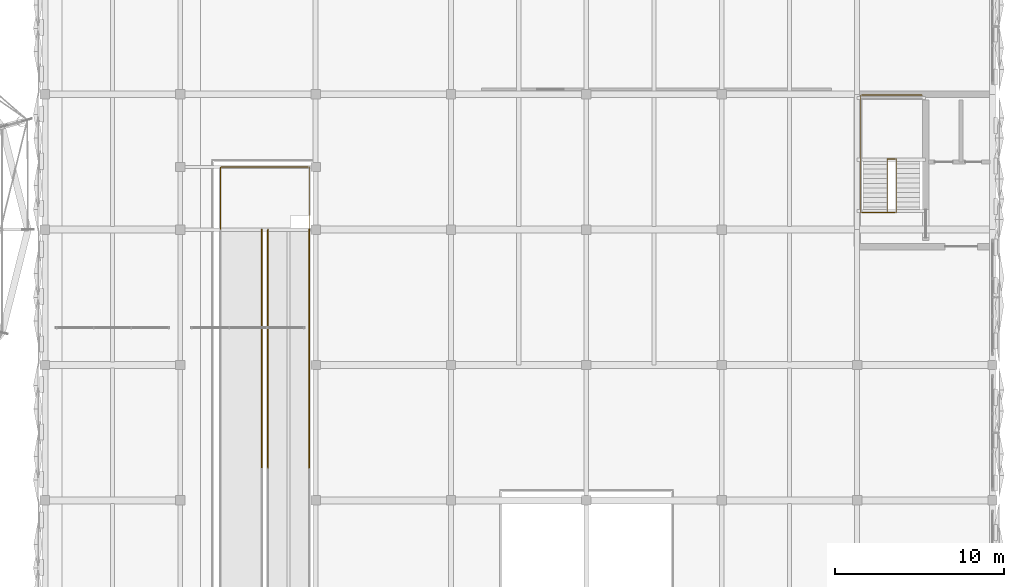
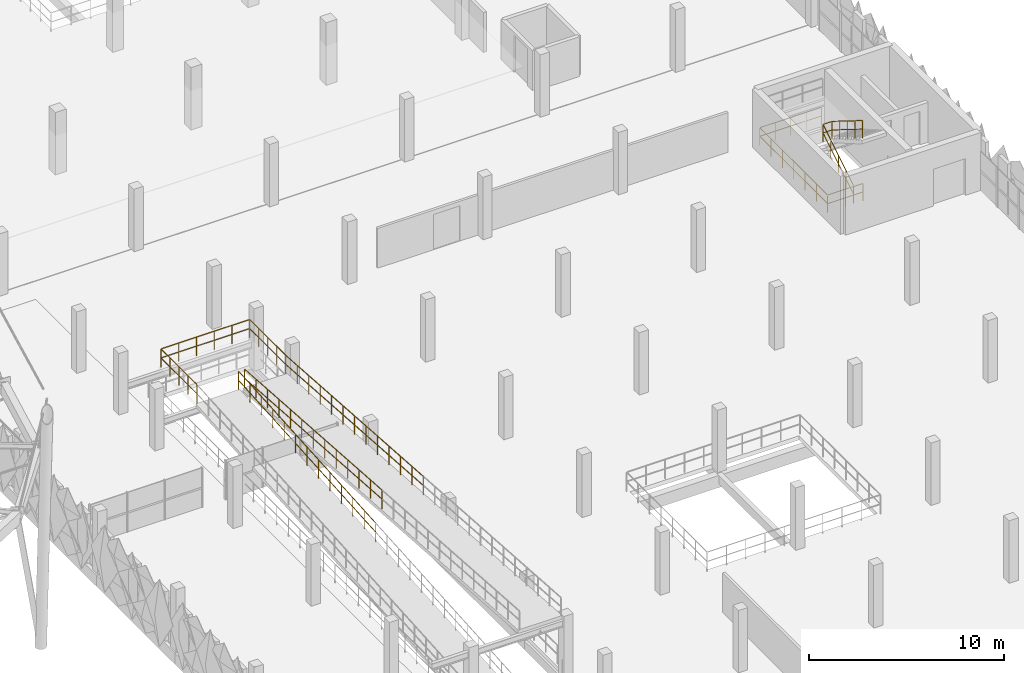
# One storey, part 91 of 96: 6 railings.
"""IFC4 building model written with IfcOpenShell, lengths in metres."""

import ifcopenshell
import ifcopenshell.guid

model = None  # the IFC model being written
_history = None  # IfcOwnerHistory: only IFC2X3 demands one
_inside = {}  # id of a spatial element -> (the spatial element, [elements in it])
_under = {}  # id of a project, library or spatial element -> (it, [spatial elements below it])
_declared = {}  # id of a project -> (the project, [libraries it declares])
_typed = {}  # id of a type object -> (the type object, [elements of that type])
_made_of = {}  # id of a material, layer set ... -> (it, [elements and type objects made of it])


def new_model(schema):
    """Start an empty IFC model of exactly this schema.

    Asked for "IFC4X3", IfcOpenShell would pick the latest addendum, in which some entities
    have other attributes; the version numbers below select the first issue.
    IFC2X3 requires an IfcOwnerHistory on every rooted entity: one is made here for all.
    """
    global model, _history
    if schema == "IFC4X3":
        model = ifcopenshell.file(schema_version=(4, 3, 0, 0))
    else:
        model = ifcopenshell.file(schema=schema)
    _inside.clear()
    _under.clear()
    _declared.clear()
    _typed.clear()
    _made_of.clear()
    _history = None
    if model.schema == "IFC2X3":
        org = make("IfcOrganization", Name="unknown")
        user = make(
            "IfcPersonAndOrganization",
            ThePerson=make("IfcPerson", FamilyName="unknown"),
            TheOrganization=org,
        )
        app = make(
            "IfcApplication",
            ApplicationDeveloper=org,
            Version="unknown",
            ApplicationFullName="unknown",
            ApplicationIdentifier="unknown",
        )
        _history = make(
            "IfcOwnerHistory",
            OwningUser=user,
            OwningApplication=app,
            ChangeAction="ADDED",
            CreationDate=0,
        )
    return model


def make(cls, **values):
    """One entity of the class cls with the attributes given. An attribute that is None is left unset."""
    return model.create_entity(
        cls, **{name: value for name, value in values.items() if value is not None}
    )


def rooted(cls, **values):
    """An entity with a GlobalId (a new one), such as an element, a storey or a relation."""
    return make(cls, GlobalId=ifcopenshell.guid.new(), OwnerHistory=_history, **values)


def si_unit(unit_type, name, prefix=None):
    """IfcSIUnit, for example si_unit("LENGTHUNIT", "METRE", prefix="MILLI")."""
    return make("IfcSIUnit", UnitType=unit_type, Prefix=prefix, Name=name)


def derived_unit(unit_type, elements):
    """IfcDerivedUnit: a product of units, each with its exponent."""
    return make(
        "IfcDerivedUnit",
        Elements=[
            make("IfcDerivedUnitElement", Unit=unit, Exponent=power)
            for unit, power in elements
        ],
        UnitType=unit_type,
    )


def assignment(units):
    """IfcUnitAssignment: the units of a project."""
    return None if units is None else make("IfcUnitAssignment", Units=units)


def point(xyz):
    """IfcCartesianPoint."""
    return None if xyz is None else make("IfcCartesianPoint", Coordinates=xyz)


def direction(xyz):
    """IfcDirection."""
    return None if xyz is None else make("IfcDirection", DirectionRatios=xyz)


def frame(location, z_axis=None, x_axis=None):
    """IfcAxis2Placement3D, a coordinate frame: its origin and axes. An axis left out is left unset."""
    return make(
        "IfcAxis2Placement3D",
        Location=point(location),
        Axis=direction(z_axis),
        RefDirection=direction(x_axis),
    )


def frame_2d(location, x_axis=None):
    """IfcAxis2Placement2D, a coordinate frame in the plane: its origin and x axis."""
    return make(
        "IfcAxis2Placement2D", Location=point(location), RefDirection=direction(x_axis)
    )


def origin():
    """The frame at (0, 0, 0) with its axes left unset."""
    return frame((0.0, 0.0, 0.0))


def origin_2d():
    """The frame at (0, 0) in the plane with its x axis left unset."""
    return frame_2d((0.0, 0.0))


def place(relative_to, where):
    """IfcLocalPlacement: puts the frame where relative to a parent placement (None: the world)."""
    return make(
        "IfcLocalPlacement", PlacementRelTo=relative_to, RelativePlacement=where
    )


def context(
    kind, dimensions, precision=None, world=None, true_north=None, identifier=None
):
    """IfcGeometricRepresentationContext, for example the 3D "Model" context."""
    return make(
        "IfcGeometricRepresentationContext",
        ContextIdentifier=identifier,
        ContextType=kind,
        CoordinateSpaceDimension=dimensions,
        Precision=precision,
        WorldCoordinateSystem=world,
        TrueNorth=true_north,
    )


def subcontext(parent, identifier, kind, view, scale=None):
    """IfcGeometricRepresentationSubContext, for example "Body" below "Model"."""
    return make(
        "IfcGeometricRepresentationSubContext",
        ContextIdentifier=identifier,
        ContextType=kind,
        ParentContext=parent,
        TargetScale=scale,
        TargetView=view,
    )


def project(units=None, contexts=None):
    """IfcProject with its units and contexts."""
    return rooted(
        "IfcProject",
        Name="project",
        RepresentationContexts=contexts,
        UnitsInContext=assignment(units),
    )


def spatial(cls, under=None, at=None, **own):
    """A site, building, storey or space (cls), placed at a placement, below another one or the project."""
    s = rooted(cls, ObjectPlacement=at, **own)
    if under is not None:
        _under.setdefault(under.id(), (under, []))[1].append(s)
    return s


def profile(cls, at=None, kind="AREA", **sizes):
    """A parametric profile (cls). Its sizes go by their IFC names, for example OverallWidth=200.0."""
    return make(cls, ProfileType=kind, Position=at, **sizes)


def circle(**sizes):
    """IfcCircleProfileDef."""
    return profile("IfcCircleProfileDef", **sizes)


def extrude(swept, where, along, depth):
    """IfcExtrudedAreaSolid: the profile swept, set in the frame where, extruded along a direction by depth."""
    return make(
        "IfcExtrudedAreaSolid",
        SweptArea=swept,
        Position=where,
        ExtrudedDirection=direction(along),
        Depth=depth,
    )


def shape(context_of_items, identifier, shape_type, items):
    """IfcShapeRepresentation: the items that make up one representation, for example the "Body"."""
    return make(
        "IfcShapeRepresentation",
        ContextOfItems=context_of_items,
        RepresentationIdentifier=identifier,
        RepresentationType=shape_type,
        Items=items,
    )


def material(Name=None, Category=None):
    """IfcMaterial."""
    return make("IfcMaterial", Name=Name, Category=Category)


def made_of(thing, what):
    """Note that an element or type object is made of a material, layer set ...; save() writes the relation."""
    if what is not None:
        _made_of.setdefault(what.id(), (what, []))[1].append(thing)
    return thing


def type_object(cls, material=None, **own):
    """A type object (cls), such as IfcWallType, which elements share."""
    return made_of(rooted(cls, **own), material)


def element(
    cls,
    number,
    at=None,
    inside=None,
    cuts=None,
    type_object=None,
    material=None,
    context=None,
    identifier="Body",
    shape_type=None,
    held_by="IfcProductDefinitionShape",
    body=None,
    shapes=None,
    **own,
):
    """One element of the class cls, such as IfcWall. Its Tag is "e" and its number.

    at: its placement. inside: the storey or other place that contains it. cuts: it is an
    opening in that element (IfcRelVoidsElement). A single representation is given by context,
    identifier, shape_type and body (its items); several are given by shapes. held_by: the class
    of the entity that holds the representations. save() writes the other relations.
    """
    e = rooted(cls, Tag="e%d" % number, ObjectPlacement=at, **own)
    if body is not None:
        shapes = [shape(context, identifier, shape_type, body)]
    if shapes is not None:
        e.Representation = make(held_by, Representations=shapes)
    if inside is not None:
        _inside.setdefault(inside.id(), (inside, []))[1].append(e)
    if cuts is not None:
        rooted(
            "IfcRelVoidsElement", RelatingBuildingElement=cuts, RelatedOpeningElement=e
        )
    if type_object is not None:
        _typed.setdefault(type_object.id(), (type_object, []))[1].append(e)
    return made_of(e, material)


def aggregate(whole, parts):
    """IfcRelAggregates: a whole, such as a stair, and the parts it consists of."""
    return rooted("IfcRelAggregates", RelatingObject=whole, RelatedObjects=parts)


def save(model, path):
    """Write the relations noted so far, then the file.

    IfcRelAggregates (storeys below a building ...), IfcRelContainedInSpatialStructure (elements
    in a storey), IfcRelDefinesByType, IfcRelAssociatesMaterial and IfcRelDeclares: one each for
    every whole, place, type object, material and project.
    """
    for whole, parts in _under.values():
        aggregate(whole, parts)
    for where, things in _inside.values():
        rooted(
            "IfcRelContainedInSpatialStructure",
            RelatedElements=things,
            RelatingStructure=where,
        )
    for kind, things in _typed.values():
        rooted("IfcRelDefinesByType", RelatedObjects=things, RelatingType=kind)
    for what, things in _made_of.values():
        rooted("IfcRelAssociatesMaterial", RelatedObjects=things, RelatingMaterial=what)
    for by, libraries in _declared.values():
        rooted("IfcRelDeclares", RelatingContext=by, RelatedDefinitions=libraries)
    model.write(path)


model = new_model("IFC4")

# Units and contexts
model_context = context("Model", 3, precision=1e-05, world=origin(), true_north=direction((0.0, 1.0)))
body_context = subcontext(model_context, "Body", "Model", "MODEL_VIEW")
ifc_project = project(units=[si_unit("LENGTHUNIT", "METRE"), si_unit("AREAUNIT", "SQUARE_METRE"), si_unit("VOLUMEUNIT", "CUBIC_METRE"), si_unit("PLANEANGLEUNIT", "RADIAN"), si_unit("MASSUNIT", "GRAM", prefix="KILO"), si_unit("THERMODYNAMICTEMPERATUREUNIT", "KELVIN"), derived_unit("THERMALTRANSMITTANCEUNIT", [(si_unit("POWERUNIT", "WATT"), 1), (si_unit("AREAUNIT", "SQUARE_METRE"), -1), (si_unit("THERMODYNAMICTEMPERATUREUNIT", "KELVIN"), -1)])], contexts=[model_context])

# Site, building, storey
site_placement = place(None, origin())
site = spatial("IfcSite", under=ifc_project, at=site_placement, CompositionType="ELEMENT")
building_placement = place(site_placement, origin())
building = spatial("IfcBuilding", under=site, at=building_placement, Name="Haiyu Intermodal Mobility Hub", CompositionType="ELEMENT")
storey_placement = place(building_placement, frame((0.0, 0.0, 9.5)))
storey = spatial("IfcBuildingStorey", under=building, at=storey_placement, Name="L02", CompositionType="ELEMENT", Elevation=9.5)

# Railings
ifc_material = material(Name="Steel Q355C", Category="steel")
railing_type = type_object("IfcRailingType", Name="RAL-GR03", PredefinedType="GUARDRAIL", material=ifc_material)
railing_1_placement = place(storey_placement, frame((166.820068359375, 49.949951171875, 0.97509765625)))
element("IfcRailing", 1, at=railing_1_placement, inside=storey, type_object=railing_type, Name="RAL-RMP-BIKE-L02-F1EB", PredefinedType="GUARDRAIL", context=body_context, shape_type="SweptSolid", body=[
    extrude(circle(Radius=0.02392578125, at=origin_2d()), frame((0.0, 0.030029296875, 1.157958984375), z_axis=(0.0, 0.997601562369, 0.069217936689), x_axis=(-1.0, 0.0, 0.0)), (0.0, 0.0, 1.0), 14.02392578125),
    extrude(circle(Radius=0.02392578125, at=origin_2d()), frame((0.0, 0.037109375, 0.592529296875), z_axis=(0.0, 0.997601562369, 0.069217936689), x_axis=(-1.0, 0.0, 0.0)), (0.0, 0.0, 1.0), 1.09912109375),
    extrude(circle(Radius=0.02392578125, at=origin_2d()), frame((0.0, 1.2080078125, 0.673828125), z_axis=(0.0, 0.997601562369, 0.069217936689), x_axis=(-1.0, 0.0, 0.0)), (0.0, 0.0, 1.0), 1.09912109375),
    extrude(circle(Radius=0.02392578125, at=origin_2d()), frame((0.0, 2.37890625, 0.755126953125), z_axis=(0.0, 0.997601562369, 0.069217936689), x_axis=(-1.0, 0.0, 0.0)), (0.0, 0.0, 1.0), 1.09912109375),
    extrude(circle(Radius=0.02392578125, at=origin_2d()), frame((0.0, 3.5498046875, 0.836181640625), z_axis=(0.0, 0.997601562369, 0.069217936689), x_axis=(-1.0, 0.0, 0.0)), (0.0, 0.0, 1.0), 1.09912109375),
    extrude(circle(Radius=0.02392578125, at=origin_2d()), frame((0.0, 4.720458984375, 0.91748046875), z_axis=(0.0, 0.997601562369, 0.069217936689), x_axis=(-1.0, 0.0, 0.0)), (0.0, 0.0, 1.0), 1.09912109375),
    extrude(circle(Radius=0.02392578125, at=origin_2d()), frame((0.0, 5.891357421875, 0.998779296875), z_axis=(0.0, 0.997601562369, 0.069217936689), x_axis=(-1.0, 0.0, 0.0)), (0.0, 0.0, 1.0), 1.09912109375),
    extrude(circle(Radius=0.02392578125, at=origin_2d()), frame((0.0, 7.062255859375, 1.080078125), z_axis=(0.0, 0.997601562369, 0.069217936689), x_axis=(-1.0, 0.0, 0.0)), (0.0, 0.0, 1.0), 1.09912109375),
    extrude(circle(Radius=0.02392578125, at=origin_2d()), frame((0.0, 8.233154296875, 1.1611328125), z_axis=(0.0, 0.997601562369, 0.069217936689), x_axis=(-1.0, 0.0, 0.0)), (0.0, 0.0, 1.0), 1.09912109375),
    extrude(circle(Radius=0.02392578125, at=origin_2d()), frame((0.0, 9.40380859375, 1.242431640625), z_axis=(0.0, 0.997601562369, 0.069217936689), x_axis=(-1.0, 0.0, 0.0)), (0.0, 0.0, 1.0), 1.09912109375),
    extrude(circle(Radius=0.02392578125, at=origin_2d()), frame((0.0, 10.57470703125, 1.32373046875), z_axis=(0.0, 0.997601562369, 0.069217936689), x_axis=(-1.0, 0.0, 0.0)), (0.0, 0.0, 1.0), 1.09912109375),
    extrude(circle(Radius=0.02392578125, at=origin_2d()), frame((0.0, 11.74560546875, 1.405029296875), z_axis=(0.0, 0.997601562369, 0.069217936689), x_axis=(-1.0, 0.0, 0.0)), (0.0, 0.0, 1.0), 1.09912109375),
    extrude(circle(Radius=0.02392578125, at=origin_2d()), frame((0.0, 12.91650390625, 1.486083984375), z_axis=(0.0, 0.997601562369, 0.069217936689), x_axis=(-1.0, 0.0, 0.0)), (0.0, 0.0, 1.0), 1.09912109375),
    extrude(circle(Radius=0.02099609375, at=origin_2d()), origin(), (0.0, 0.0, 1.0), 1.123779296875),
    extrude(circle(Radius=0.02099609375, at=origin_2d()), frame((0.0, 1.1708984375, 0.081298828125)), (0.0, 0.0, 1.0), 1.123779296875),
    extrude(circle(Radius=0.02099609375, at=origin_2d()), frame((0.0, 2.341796875, 0.16259765625)), (0.0, 0.0, 1.0), 1.123779296875),
    extrude(circle(Radius=0.02099609375, at=origin_2d()), frame((0.0, 3.512451171875, 0.24365234375)), (0.0, 0.0, 1.0), 1.123779296875),
    extrude(circle(Radius=0.02099609375, at=origin_2d()), frame((0.0, 4.683349609375, 0.324951171875)), (0.0, 0.0, 1.0), 1.123779296875),
    extrude(circle(Radius=0.02099609375, at=origin_2d()), frame((0.0, 5.854248046875, 0.40625)), (0.0, 0.0, 1.0), 1.123779296875),
    extrude(circle(Radius=0.02099609375, at=origin_2d()), frame((0.0, 7.02490234375, 0.4873046875)), (0.0, 0.0, 1.0), 1.123779296875),
    extrude(circle(Radius=0.02099609375, at=origin_2d()), frame((0.0, 8.19580078125, 0.568603515625)), (0.0, 0.0, 1.0), 1.123779296875),
    extrude(circle(Radius=0.02099609375, at=origin_2d()), frame((0.0, 9.36669921875, 0.64990234375)), (0.0, 0.0, 1.0), 1.123779296875),
    extrude(circle(Radius=0.02099609375, at=origin_2d()), frame((0.0, 10.53759765625, 0.731201171875)), (0.0, 0.0, 1.0), 1.123779296875),
    extrude(circle(Radius=0.02099609375, at=origin_2d()), frame((0.0, 11.70849609375, 0.8125)), (0.0, 0.0, 1.0), 1.123779296875),
    extrude(circle(Radius=0.02099609375, at=origin_2d()), frame((0.0, 12.879150390625, 0.8935546875)), (0.0, 0.0, 1.0), 1.123779296875),
    extrude(circle(Radius=0.02099609375, at=origin_2d()), frame((0.0, 14.050048828125, 0.974853515625)), (0.0, 0.0, 1.0), 1.123779296875),
])
railing_2_placement = place(storey_placement, frame((167.179931640625, 64.0, 1.949951171875)))
element("IfcRailing", 2, at=railing_2_placement, inside=storey, type_object=railing_type, Name="RAL-RMP-BIKE-L02-F2WA", PredefinedType="GUARDRAIL", context=body_context, shape_type="SweptSolid", body=[
    extrude(circle(Radius=0.02392578125, at=origin_2d()), frame((0.0, -0.030029296875, 1.157958984375), z_axis=(0.0, -0.99760881849, 0.069113278539), x_axis=(1.0, 0.0, 0.0)), (0.0, 0.0, 1.0), 14.048583984375),
    extrude(circle(Radius=0.02392578125, at=origin_2d()), frame((0.0, -0.037109375, 0.592529296875), z_axis=(0.0, -0.99760881849, 0.069113278539), x_axis=(1.0, 0.0, 0.0)), (0.0, 0.0, 1.0), 1.10107421875),
    extrude(circle(Radius=0.02392578125, at=origin_2d()), frame((0.0, -1.210205078125, 0.673828125), z_axis=(0.0, -0.99760881849, 0.069113278539), x_axis=(1.0, 0.0, 0.0)), (0.0, 0.0, 1.0), 1.10107421875),
    extrude(circle(Radius=0.02392578125, at=origin_2d()), frame((0.0, -2.383056640625, 0.755126953125), z_axis=(0.0, -0.99760881849, 0.069113278539), x_axis=(1.0, 0.0, 0.0)), (0.0, 0.0, 1.0), 1.10107421875),
    extrude(circle(Radius=0.02392578125, at=origin_2d()), frame((0.0, -3.555908203125, 0.83642578125), z_axis=(0.0, -0.99760881849, 0.069113278539), x_axis=(1.0, 0.0, 0.0)), (0.0, 0.0, 1.0), 1.10107421875),
    extrude(circle(Radius=0.02392578125, at=origin_2d()), frame((0.0, -4.728759765625, 0.91748046875), z_axis=(0.0, -0.99760881849, 0.069113278539), x_axis=(1.0, 0.0, 0.0)), (0.0, 0.0, 1.0), 1.10107421875),
    extrude(circle(Radius=0.02392578125, at=origin_2d()), frame((0.0, -5.90185546875, 0.998779296875), z_axis=(0.0, -0.99760881849, 0.069113278539), x_axis=(1.0, 0.0, 0.0)), (0.0, 0.0, 1.0), 1.10107421875),
    extrude(circle(Radius=0.02392578125, at=origin_2d()), frame((0.0, -7.07470703125, 1.080078125), z_axis=(0.0, -0.99760881849, 0.069113278539), x_axis=(1.0, 0.0, 0.0)), (0.0, 0.0, 1.0), 1.10107421875),
    extrude(circle(Radius=0.02392578125, at=origin_2d()), frame((0.0, -8.24755859375, 1.161376953125), z_axis=(0.0, -0.99760881849, 0.069113278539), x_axis=(1.0, 0.0, 0.0)), (0.0, 0.0, 1.0), 1.10107421875),
    extrude(circle(Radius=0.02392578125, at=origin_2d()), frame((0.0, -9.42041015625, 1.24267578125), z_axis=(0.0, -0.99760881849, 0.069113278539), x_axis=(1.0, 0.0, 0.0)), (0.0, 0.0, 1.0), 1.10107421875),
    extrude(circle(Radius=0.02392578125, at=origin_2d()), frame((0.0, -10.593505859375, 1.323974609375), z_axis=(0.0, -0.99760881849, 0.069113278539), x_axis=(1.0, 0.0, 0.0)), (0.0, 0.0, 1.0), 1.10107421875),
    extrude(circle(Radius=0.02392578125, at=origin_2d()), frame((0.0, -11.766357421875, 1.405029296875), z_axis=(0.0, -0.99760881849, 0.069113278539), x_axis=(1.0, 0.0, 0.0)), (0.0, 0.0, 1.0), 1.10107421875),
    extrude(circle(Radius=0.02392578125, at=origin_2d()), frame((0.0, -12.939208984375, 1.486328125), z_axis=(0.0, -0.99760881849, 0.069113278539), x_axis=(1.0, 0.0, 0.0)), (0.0, 0.0, 1.0), 1.10107421875),
    extrude(circle(Radius=0.02099609375, at=origin_2d()), origin(), (0.0, 0.0, 1.0), 1.123779296875),
    extrude(circle(Radius=0.02099609375, at=origin_2d()), frame((0.0, -1.1728515625, 0.081298828125)), (0.0, 0.0, 1.0), 1.123779296875),
    extrude(circle(Radius=0.02099609375, at=origin_2d()), frame((0.0, -2.345703125, 0.16259765625)), (0.0, 0.0, 1.0), 1.123779296875),
    extrude(circle(Radius=0.02099609375, at=origin_2d()), frame((0.0, -3.518798828125, 0.24365234375)), (0.0, 0.0, 1.0), 1.123779296875),
    extrude(circle(Radius=0.02099609375, at=origin_2d()), frame((0.0, -4.691650390625, 0.324951171875)), (0.0, 0.0, 1.0), 1.123779296875),
    extrude(circle(Radius=0.02099609375, at=origin_2d()), frame((0.0, -5.864501953125, 0.40625)), (0.0, 0.0, 1.0), 1.123779296875),
    extrude(circle(Radius=0.02099609375, at=origin_2d()), frame((0.0, -7.03759765625, 0.487548828125)), (0.0, 0.0, 1.0), 1.123779296875),
    extrude(circle(Radius=0.02099609375, at=origin_2d()), frame((0.0, -8.21044921875, 0.56884765625)), (0.0, 0.0, 1.0), 1.123779296875),
    extrude(circle(Radius=0.02099609375, at=origin_2d()), frame((0.0, -9.38330078125, 0.650146484375)), (0.0, 0.0, 1.0), 1.123779296875),
    extrude(circle(Radius=0.02099609375, at=origin_2d()), frame((0.0, -10.55615234375, 0.7314453125)), (0.0, 0.0, 1.0), 1.123779296875),
    extrude(circle(Radius=0.02099609375, at=origin_2d()), frame((0.0, -11.72900390625, 0.8125)), (0.0, 0.0, 1.0), 1.123779296875),
    extrude(circle(Radius=0.02099609375, at=origin_2d()), frame((0.0, -12.902099609375, 0.893798828125)), (0.0, 0.0, 1.0), 1.123779296875),
    extrude(circle(Radius=0.02099609375, at=origin_2d()), frame((0.0, -14.074951171875, 0.97509765625)), (0.0, 0.0, 1.0), 1.123779296875),
])
railing_3_placement = place(storey_placement, frame((169.6201171875, 64.0, 1.949951171875)))
element("IfcRailing", 3, at=railing_3_placement, inside=storey, type_object=railing_type, Name="RAL-RMP-BIKE-L02-F2EA", PredefinedType="GUARDRAIL", context=body_context, shape_type="SweptSolid", body=[
    extrude(circle(Radius=0.02392578125, at=origin_2d()), frame((0.0, -0.030029296875, 1.157958984375), z_axis=(0.0, -0.99760881849, 0.069113278539), x_axis=(1.0, 0.0, 0.0)), (0.0, 0.0, 1.0), 14.048583984375),
    extrude(circle(Radius=0.02392578125, at=origin_2d()), frame((0.0, -0.037109375, 0.592529296875), z_axis=(0.0, -0.99760881849, 0.069113278539), x_axis=(1.0, 0.0, 0.0)), (0.0, 0.0, 1.0), 1.10107421875),
    extrude(circle(Radius=0.02392578125, at=origin_2d()), frame((0.0, -1.210205078125, 0.673828125), z_axis=(0.0, -0.99760881849, 0.069113278539), x_axis=(1.0, 0.0, 0.0)), (0.0, 0.0, 1.0), 1.10107421875),
    extrude(circle(Radius=0.02392578125, at=origin_2d()), frame((0.0, -2.383056640625, 0.755126953125), z_axis=(0.0, -0.99760881849, 0.069113278539), x_axis=(1.0, 0.0, 0.0)), (0.0, 0.0, 1.0), 1.10107421875),
    extrude(circle(Radius=0.02392578125, at=origin_2d()), frame((0.0, -3.555908203125, 0.83642578125), z_axis=(0.0, -0.99760881849, 0.069113278539), x_axis=(1.0, 0.0, 0.0)), (0.0, 0.0, 1.0), 1.10107421875),
    extrude(circle(Radius=0.02392578125, at=origin_2d()), frame((0.0, -4.728759765625, 0.91748046875), z_axis=(0.0, -0.99760881849, 0.069113278539), x_axis=(1.0, 0.0, 0.0)), (0.0, 0.0, 1.0), 1.10107421875),
    extrude(circle(Radius=0.02392578125, at=origin_2d()), frame((0.0, -5.90185546875, 0.998779296875), z_axis=(0.0, -0.99760881849, 0.069113278539), x_axis=(1.0, 0.0, 0.0)), (0.0, 0.0, 1.0), 1.10107421875),
    extrude(circle(Radius=0.02392578125, at=origin_2d()), frame((0.0, -7.07470703125, 1.080078125), z_axis=(0.0, -0.99760881849, 0.069113278539), x_axis=(1.0, 0.0, 0.0)), (0.0, 0.0, 1.0), 1.10107421875),
    extrude(circle(Radius=0.02392578125, at=origin_2d()), frame((0.0, -8.24755859375, 1.161376953125), z_axis=(0.0, -0.99760881849, 0.069113278539), x_axis=(1.0, 0.0, 0.0)), (0.0, 0.0, 1.0), 1.10107421875),
    extrude(circle(Radius=0.02392578125, at=origin_2d()), frame((0.0, -9.42041015625, 1.24267578125), z_axis=(0.0, -0.99760881849, 0.069113278539), x_axis=(1.0, 0.0, 0.0)), (0.0, 0.0, 1.0), 1.10107421875),
    extrude(circle(Radius=0.02392578125, at=origin_2d()), frame((0.0, -10.593505859375, 1.323974609375), z_axis=(0.0, -0.99760881849, 0.069113278539), x_axis=(1.0, 0.0, 0.0)), (0.0, 0.0, 1.0), 1.10107421875),
    extrude(circle(Radius=0.02392578125, at=origin_2d()), frame((0.0, -11.766357421875, 1.405029296875), z_axis=(0.0, -0.99760881849, 0.069113278539), x_axis=(1.0, 0.0, 0.0)), (0.0, 0.0, 1.0), 1.10107421875),
    extrude(circle(Radius=0.02392578125, at=origin_2d()), frame((0.0, -12.939208984375, 1.486328125), z_axis=(0.0, -0.99760881849, 0.069113278539), x_axis=(1.0, 0.0, 0.0)), (0.0, 0.0, 1.0), 1.10107421875),
    extrude(circle(Radius=0.02099609375, at=origin_2d()), origin(), (0.0, 0.0, 1.0), 1.123779296875),
    extrude(circle(Radius=0.02099609375, at=origin_2d()), frame((0.0, -1.1728515625, 0.081298828125)), (0.0, 0.0, 1.0), 1.123779296875),
    extrude(circle(Radius=0.02099609375, at=origin_2d()), frame((0.0, -2.345703125, 0.16259765625)), (0.0, 0.0, 1.0), 1.123779296875),
    extrude(circle(Radius=0.02099609375, at=origin_2d()), frame((0.0, -3.518798828125, 0.24365234375)), (0.0, 0.0, 1.0), 1.123779296875),
    extrude(circle(Radius=0.02099609375, at=origin_2d()), frame((0.0, -4.691650390625, 0.324951171875)), (0.0, 0.0, 1.0), 1.123779296875),
    extrude(circle(Radius=0.02099609375, at=origin_2d()), frame((0.0, -5.864501953125, 0.40625)), (0.0, 0.0, 1.0), 1.123779296875),
    extrude(circle(Radius=0.02099609375, at=origin_2d()), frame((0.0, -7.03759765625, 0.487548828125)), (0.0, 0.0, 1.0), 1.123779296875),
    extrude(circle(Radius=0.02099609375, at=origin_2d()), frame((0.0, -8.21044921875, 0.56884765625)), (0.0, 0.0, 1.0), 1.123779296875),
    extrude(circle(Radius=0.02099609375, at=origin_2d()), frame((0.0, -9.38330078125, 0.650146484375)), (0.0, 0.0, 1.0), 1.123779296875),
    extrude(circle(Radius=0.02099609375, at=origin_2d()), frame((0.0, -10.55615234375, 0.7314453125)), (0.0, 0.0, 1.0), 1.123779296875),
    extrude(circle(Radius=0.02099609375, at=origin_2d()), frame((0.0, -11.72900390625, 0.8125)), (0.0, 0.0, 1.0), 1.123779296875),
    extrude(circle(Radius=0.02099609375, at=origin_2d()), frame((0.0, -12.902099609375, 0.893798828125)), (0.0, 0.0, 1.0), 1.123779296875),
    extrude(circle(Radius=0.02099609375, at=origin_2d()), frame((0.0, -14.074951171875, 0.97509765625)), (0.0, 0.0, 1.0), 1.123779296875),
])
railing_4_placement = place(storey_placement, frame((164.3798828125, 64.0, 1.949951171875)))
element("IfcRailing", 4, at=railing_4_placement, inside=storey, type_object=railing_type, Name="RAL-RMP-BIKE-L02-LND", PredefinedType="GUARDRAIL", context=body_context, shape_type="SweptSolid", body=[
    extrude(circle(Radius=0.02392578125, at=origin_2d()), frame((0.0, 0.030029296875, 1.15576171875), z_axis=(0.0, 1.0, 0.0), x_axis=(-1.0, 0.0, 0.0)), (0.0, 0.0, 1.0), 3.639892578125),
    extrude(circle(Radius=0.02392578125, at=origin_2d()), frame((0.0, 0.037353515625, 0.58984375), z_axis=(0.0, 1.0, 0.0), x_axis=(-1.0, 0.0, 0.0)), (0.0, 0.0, 1.0), 0.850341796875),
    extrude(circle(Radius=0.02392578125, at=origin_2d()), frame((0.0, 0.96240234375, 0.58984375), z_axis=(0.0, 1.0, 0.0), x_axis=(-1.0, 0.0, 0.0)), (0.0, 0.0, 1.0), 0.850341796875),
    extrude(circle(Radius=0.02392578125, at=origin_2d()), frame((0.0, 1.88720703125, 0.58984375), z_axis=(0.0, 1.0, 0.0), x_axis=(-1.0, 0.0, 0.0)), (0.0, 0.0, 1.0), 0.850341796875),
    extrude(circle(Radius=0.02392578125, at=origin_2d()), frame((0.0, 2.812255859375, 0.58984375), z_axis=(0.0, 1.0, 0.0), x_axis=(-1.0, 0.0, 0.0)), (0.0, 0.0, 1.0), 0.850341796875),
    extrude(circle(Radius=0.02392578125, at=origin_2d()), frame((0.030029296875, 3.699951171875, 1.15576171875), z_axis=(1.0, 0.0, 0.0), x_axis=(0.0, 1.0, 0.0)), (0.0, 0.0, 1.0), 5.18017578125),
    extrude(circle(Radius=0.02392578125, at=origin_2d()), frame((0.037353515625, 3.699951171875, 0.58984375), z_axis=(1.0, 0.0, 0.0), x_axis=(0.0, 1.0, 0.0)), (0.0, 0.0, 1.0), 0.973388671875),
    extrude(circle(Radius=0.02392578125, at=origin_2d()), frame((1.08544921875, 3.699951171875, 0.58984375), z_axis=(1.0, 0.0, 0.0), x_axis=(0.0, 1.0, 0.0)), (0.0, 0.0, 1.0), 0.973388671875),
    extrude(circle(Radius=0.02392578125, at=origin_2d()), frame((2.13330078125, 3.699951171875, 0.58984375), z_axis=(1.0, 0.0, 0.0), x_axis=(0.0, 1.0, 0.0)), (0.0, 0.0, 1.0), 0.973388671875),
    extrude(circle(Radius=0.02392578125, at=origin_2d()), frame((3.181396484375, 3.699951171875, 0.58984375), z_axis=(1.0, 0.0, 0.0), x_axis=(0.0, 1.0, 0.0)), (0.0, 0.0, 1.0), 0.973388671875),
    extrude(circle(Radius=0.02392578125, at=origin_2d()), frame((4.2294921875, 3.699951171875, 0.58984375), z_axis=(1.0, 0.0, 0.0), x_axis=(0.0, 1.0, 0.0)), (0.0, 0.0, 1.0), 0.973388671875),
    extrude(circle(Radius=0.02392578125, at=origin_2d()), frame((5.240234375, 3.669921875, 1.15576171875), z_axis=(0.0, -1.0, 0.0), x_axis=(1.0, 0.0, 0.0)), (0.0, 0.0, 1.0), 3.639892578125),
    extrude(circle(Radius=0.02392578125, at=origin_2d()), frame((5.240234375, 3.66259765625, 0.58984375), z_axis=(0.0, -1.0, 0.0), x_axis=(1.0, 0.0, 0.0)), (0.0, 0.0, 1.0), 0.850341796875),
    extrude(circle(Radius=0.02392578125, at=origin_2d()), frame((5.240234375, 2.737548828125, 0.58984375), z_axis=(0.0, -1.0, 0.0), x_axis=(1.0, 0.0, 0.0)), (0.0, 0.0, 1.0), 0.850341796875),
    extrude(circle(Radius=0.02392578125, at=origin_2d()), frame((5.240234375, 1.812744140625, 0.58984375), z_axis=(0.0, -1.0, 0.0), x_axis=(1.0, 0.0, 0.0)), (0.0, 0.0, 1.0), 0.850341796875),
    extrude(circle(Radius=0.02392578125, at=origin_2d()), frame((5.240234375, 0.8876953125, 0.58984375), z_axis=(0.0, -1.0, 0.0), x_axis=(1.0, 0.0, 0.0)), (0.0, 0.0, 1.0), 0.850341796875),
    extrude(circle(Radius=0.02099609375, at=origin_2d()), origin(), (0.0, 0.0, 1.0), 1.123779296875),
    extrude(circle(Radius=0.02099609375, at=origin_2d()), frame((0.0, 0.925048828125, 0.0)), (0.0, 0.0, 1.0), 1.123779296875),
    extrude(circle(Radius=0.02099609375, at=origin_2d()), frame((0.0, 1.85009765625, 0.0)), (0.0, 0.0, 1.0), 1.123779296875),
    extrude(circle(Radius=0.02099609375, at=origin_2d()), frame((0.0, 2.77490234375, 0.0)), (0.0, 0.0, 1.0), 1.123779296875),
    extrude(circle(Radius=0.02099609375, at=origin_2d()), frame((0.0, 3.699951171875, 0.0)), (0.0, 0.0, 1.0), 1.123779296875),
    extrude(circle(Radius=0.02099609375, at=origin_2d()), frame((1.048095703125, 3.699951171875, 0.0)), (0.0, 0.0, 1.0), 1.123779296875),
    extrude(circle(Radius=0.02099609375, at=origin_2d()), frame((2.09619140625, 3.699951171875, 0.0)), (0.0, 0.0, 1.0), 1.123779296875),
    extrude(circle(Radius=0.02099609375, at=origin_2d()), frame((3.14404296875, 3.699951171875, 0.0)), (0.0, 0.0, 1.0), 1.123779296875),
    extrude(circle(Radius=0.02099609375, at=origin_2d()), frame((4.192138671875, 3.699951171875, 0.0)), (0.0, 0.0, 1.0), 1.123779296875),
    extrude(circle(Radius=0.02099609375, at=origin_2d()), frame((5.240234375, 3.699951171875, 0.0)), (0.0, 0.0, 1.0), 1.123779296875),
    extrude(circle(Radius=0.02099609375, at=origin_2d()), frame((5.240234375, 2.77490234375, 0.0)), (0.0, 0.0, 1.0), 1.123779296875),
    extrude(circle(Radius=0.02099609375, at=origin_2d()), frame((5.240234375, 1.85009765625, 0.0)), (0.0, 0.0, 1.0), 1.123779296875),
    extrude(circle(Radius=0.02099609375, at=origin_2d()), frame((5.240234375, 0.925048828125, 0.0)), (0.0, 0.0, 1.0), 1.123779296875),
    extrude(circle(Radius=0.02099609375, at=origin_2d()), frame((5.240234375, 0.0, 0.0)), (0.0, 0.0, 1.0), 1.123779296875),
])
railing_5_placement = place(storey_placement, frame((204.31005859375, 65.010009765625, 0.0)))
element("IfcRailing", 5, at=railing_5_placement, inside=storey, type_object=railing_type, Name="Stair Shaft Floor Guard STR-C9-L01", PredefinedType="GUARDRAIL", context=body_context, shape_type="SweptSolid", body=[
    extrude(circle(Radius=0.02392578125, at=origin_2d()), frame((-0.030029296875, 0.0, 1.09619140625), z_axis=(-1.0, 0.0, 0.0), x_axis=(0.0, -1.0, 0.0)), (0.0, 0.0, 1.0), 2.030029296875),
    extrude(circle(Radius=0.02392578125, at=origin_2d()), frame((-0.037353515625, 0.0, 0.56005859375), z_axis=(-1.0, 0.0, 0.0), x_axis=(0.0, -1.0, 0.0)), (0.0, 0.0, 1.0), 0.970458984375),
    extrude(circle(Radius=0.02392578125, at=origin_2d()), frame((-1.082275390625, 0.0, 0.56005859375), z_axis=(-1.0, 0.0, 0.0), x_axis=(0.0, -1.0, 0.0)), (0.0, 0.0, 1.0), 0.970458984375),
    extrude(circle(Radius=0.02392578125, at=origin_2d()), frame((-2.090087890625, 0.030029296875, 1.09619140625), z_axis=(0.0, 1.0, 0.0), x_axis=(-1.0, 0.0, 0.0)), (0.0, 0.0, 1.0), 6.8798828125),
    extrude(circle(Radius=0.02392578125, at=origin_2d()), frame((-2.090087890625, 0.037353515625, 0.56005859375), z_axis=(0.0, 1.0, 0.0), x_axis=(-1.0, 0.0, 0.0)), (0.0, 0.0, 1.0), 1.08203125),
    extrude(circle(Radius=0.02392578125, at=origin_2d()), frame((-2.090087890625, 1.19384765625, 0.56005859375), z_axis=(0.0, 1.0, 0.0), x_axis=(-1.0, 0.0, 0.0)), (0.0, 0.0, 1.0), 1.08203125),
    extrude(circle(Radius=0.02392578125, at=origin_2d()), frame((-2.090087890625, 2.3505859375, 0.56005859375), z_axis=(0.0, 1.0, 0.0), x_axis=(-1.0, 0.0, 0.0)), (0.0, 0.0, 1.0), 1.08203125),
    extrude(circle(Radius=0.02392578125, at=origin_2d()), frame((-2.090087890625, 3.50732421875, 0.56005859375), z_axis=(0.0, 1.0, 0.0), x_axis=(-1.0, 0.0, 0.0)), (0.0, 0.0, 1.0), 1.08203125),
    extrude(circle(Radius=0.02392578125, at=origin_2d()), frame((-2.090087890625, 4.663818359375, 0.56005859375), z_axis=(0.0, 1.0, 0.0), x_axis=(-1.0, 0.0, 0.0)), (0.0, 0.0, 1.0), 1.08203125),
    extrude(circle(Radius=0.02392578125, at=origin_2d()), frame((-2.090087890625, 5.820556640625, 0.56005859375), z_axis=(0.0, 1.0, 0.0), x_axis=(-1.0, 0.0, 0.0)), (0.0, 0.0, 1.0), 1.08203125),
    extrude(circle(Radius=0.02392578125, at=origin_2d()), frame((-2.06005859375, 6.93994140625, 1.09619140625), z_axis=(1.0, 0.0, 0.0), x_axis=(0.0, 1.0, 0.0)), (0.0, 0.0, 1.0), 3.590087890625),
    extrude(circle(Radius=0.02392578125, at=origin_2d()), frame((-2.052734375, 6.93994140625, 0.56005859375), z_axis=(1.0, 0.0, 0.0), x_axis=(0.0, 1.0, 0.0)), (0.0, 0.0, 1.0), 0.837890625),
    extrude(circle(Radius=0.02392578125, at=origin_2d()), frame((-1.14013671875, 6.93994140625, 0.56005859375), z_axis=(1.0, 0.0, 0.0), x_axis=(0.0, 1.0, 0.0)), (0.0, 0.0, 1.0), 0.837890625),
    extrude(circle(Radius=0.02392578125, at=origin_2d()), frame((-0.227783203125, 6.93994140625, 0.56005859375), z_axis=(1.0, 0.0, 0.0), x_axis=(0.0, 1.0, 0.0)), (0.0, 0.0, 1.0), 0.837890625),
    extrude(circle(Radius=0.02392578125, at=origin_2d()), frame((0.684814453125, 6.93994140625, 0.56005859375), z_axis=(1.0, 0.0, 0.0), x_axis=(0.0, 1.0, 0.0)), (0.0, 0.0, 1.0), 0.837890625),
    extrude(circle(Radius=0.02099609375, at=origin_2d()), origin(), (0.0, 0.0, 1.0), 1.06396484375),
    extrude(circle(Radius=0.02099609375, at=origin_2d()), frame((-1.044921875, 0.0, 0.0)), (0.0, 0.0, 1.0), 1.06396484375),
    extrude(circle(Radius=0.02099609375, at=origin_2d()), frame((-2.090087890625, 0.0, 0.0)), (0.0, 0.0, 1.0), 1.06396484375),
    extrude(circle(Radius=0.02099609375, at=origin_2d()), frame((-2.090087890625, 1.15673828125, 0.0)), (0.0, 0.0, 1.0), 1.06396484375),
    extrude(circle(Radius=0.02099609375, at=origin_2d()), frame((-2.090087890625, 2.313232421875, 0.0)), (0.0, 0.0, 1.0), 1.06396484375),
    extrude(circle(Radius=0.02099609375, at=origin_2d()), frame((-2.090087890625, 3.469970703125, 0.0)), (0.0, 0.0, 1.0), 1.06396484375),
    extrude(circle(Radius=0.02099609375, at=origin_2d()), frame((-2.090087890625, 4.626708984375, 0.0)), (0.0, 0.0, 1.0), 1.06396484375),
    extrude(circle(Radius=0.02099609375, at=origin_2d()), frame((-2.090087890625, 5.783203125, 0.0)), (0.0, 0.0, 1.0), 1.06396484375),
    extrude(circle(Radius=0.02099609375, at=origin_2d()), frame((-2.090087890625, 6.93994140625, 0.0)), (0.0, 0.0, 1.0), 1.06396484375),
    extrude(circle(Radius=0.02099609375, at=origin_2d()), frame((-1.177490234375, 6.93994140625, 0.0)), (0.0, 0.0, 1.0), 1.06396484375),
    extrude(circle(Radius=0.02099609375, at=origin_2d()), frame((-0.26513671875, 6.93994140625, 0.0)), (0.0, 0.0, 1.0), 1.06396484375),
    extrude(circle(Radius=0.02099609375, at=origin_2d()), frame((0.6474609375, 6.93994140625, 0.0)), (0.0, 0.0, 1.0), 1.06396484375),
    extrude(circle(Radius=0.02099609375, at=origin_2d()), frame((1.56005859375, 6.93994140625, 0.0)), (0.0, 0.0, 1.0), 1.06396484375),
])
railing_6_placement = place(storey_placement, frame((203.780029296875, 65.050048828125, 0.0)))
element("IfcRailing", 6, at=railing_6_placement, inside=storey, type_object=railing_type, Name="Stair Well Guard STR-C9-L02", PredefinedType="GUARDRAIL", context=body_context, shape_type="SweptSolid", body=[
    extrude(circle(Radius=0.02392578125, at=origin_2d()), frame((0.0, 0.025390625, 1.11181640625), z_axis=(0.0, 0.848756196164, 0.528784378999), x_axis=(-1.0, 0.0, 0.0)), (0.0, 0.0, 1.0), 3.627685546875),
    extrude(circle(Radius=0.02392578125, at=origin_2d()), frame((0.0, 0.03173828125, 0.579833984375), z_axis=(0.0, 0.848756196164, 0.528784378999), x_axis=(-1.0, 0.0, 0.0)), (0.0, 0.0, 1.0), 0.847412109375),
    extrude(circle(Radius=0.02392578125, at=origin_2d()), frame((0.0, 0.814208984375, 1.0673828125), z_axis=(0.0, 0.848756196164, 0.528784378999), x_axis=(-1.0, 0.0, 0.0)), (0.0, 0.0, 1.0), 0.847412109375),
    extrude(circle(Radius=0.02392578125, at=origin_2d()), frame((0.0, 1.5966796875, 1.5546875), z_axis=(0.0, 0.848756196164, 0.528784378999), x_axis=(-1.0, 0.0, 0.0)), (0.0, 0.0, 1.0), 0.847412109375),
    extrude(circle(Radius=0.02392578125, at=origin_2d()), frame((0.0, 2.379150390625, 2.042236328125), z_axis=(0.0, 0.848756196164, 0.528784378999), x_axis=(-1.0, 0.0, 0.0)), (0.0, 0.0, 1.0), 0.847412109375),
    extrude(circle(Radius=0.02392578125, at=origin_2d()), frame((0.030029296875, 3.1298828125, 3.0458984375), z_axis=(1.0, 0.0, 0.0), x_axis=(0.0, 1.0, 0.0)), (0.0, 0.0, 1.0), 0.469970703125),
    extrude(circle(Radius=0.02392578125, at=origin_2d()), frame((0.037353515625, 3.1298828125, 2.510009765625), z_axis=(1.0, 0.0, 0.0), x_axis=(0.0, 1.0, 0.0)), (0.0, 0.0, 1.0), 0.455322265625),
    extrude(circle(Radius=0.02392578125, at=origin_2d()), frame((0.530029296875, 3.1044921875, 3.061767578125), z_axis=(0.0, -0.848756196164, 0.528784378999), x_axis=(1.0, 0.0, 0.0)), (0.0, 0.0, 1.0), 3.627685546875),
    extrude(circle(Radius=0.02392578125, at=origin_2d()), frame((0.530029296875, 3.09814453125, 2.52978515625), z_axis=(0.0, -0.848756196164, 0.528784378999), x_axis=(1.0, 0.0, 0.0)), (0.0, 0.0, 1.0), 0.847412109375),
    extrude(circle(Radius=0.02392578125, at=origin_2d()), frame((0.530029296875, 2.315673828125, 3.017333984375), z_axis=(0.0, -0.848756196164, 0.528784378999), x_axis=(1.0, 0.0, 0.0)), (0.0, 0.0, 1.0), 0.847412109375),
    extrude(circle(Radius=0.02392578125, at=origin_2d()), frame((0.530029296875, 1.533203125, 3.504638671875), z_axis=(0.0, -0.848756196164, 0.528784378999), x_axis=(1.0, 0.0, 0.0)), (0.0, 0.0, 1.0), 0.847412109375),
    extrude(circle(Radius=0.02392578125, at=origin_2d()), frame((0.530029296875, 0.750732421875, 3.9921875), z_axis=(0.0, -0.848756196164, 0.528784378999), x_axis=(1.0, 0.0, 0.0)), (0.0, 0.0, 1.0), 0.847412109375),
    extrude(circle(Radius=0.02099609375, at=origin_2d()), origin(), (0.0, 0.0, 1.0), 1.06396484375),
    extrude(circle(Radius=0.02099609375, at=origin_2d()), frame((0.0, 0.782470703125, 0.487548828125)), (0.0, 0.0, 1.0), 1.06396484375),
    extrude(circle(Radius=0.02099609375, at=origin_2d()), frame((0.0, 1.56494140625, 0.97509765625)), (0.0, 0.0, 1.0), 1.06396484375),
    extrude(circle(Radius=0.02099609375, at=origin_2d()), frame((0.0, 2.347412109375, 1.46240234375)), (0.0, 0.0, 1.0), 1.06396484375),
    extrude(circle(Radius=0.02099609375, at=origin_2d()), frame((0.0, 3.1298828125, 1.949951171875)), (0.0, 0.0, 1.0), 1.06396484375),
    extrude(circle(Radius=0.02099609375, at=origin_2d()), frame((0.530029296875, 3.1298828125, 1.949951171875)), (0.0, 0.0, 1.0), 1.06396484375),
    extrude(circle(Radius=0.02099609375, at=origin_2d()), frame((0.530029296875, 2.347412109375, 2.4375)), (0.0, 0.0, 1.0), 1.06396484375),
    extrude(circle(Radius=0.02099609375, at=origin_2d()), frame((0.530029296875, 1.56494140625, 2.9248046875)), (0.0, 0.0, 1.0), 1.06396484375),
    extrude(circle(Radius=0.02099609375, at=origin_2d()), frame((0.530029296875, 0.782470703125, 3.412353515625)), (0.0, 0.0, 1.0), 1.06396484375),
    extrude(circle(Radius=0.02099609375, at=origin_2d()), frame((0.530029296875, 0.0, 3.89990234375)), (0.0, 0.0, 1.0), 1.06396484375),
])

save(model, "model.ifc")
